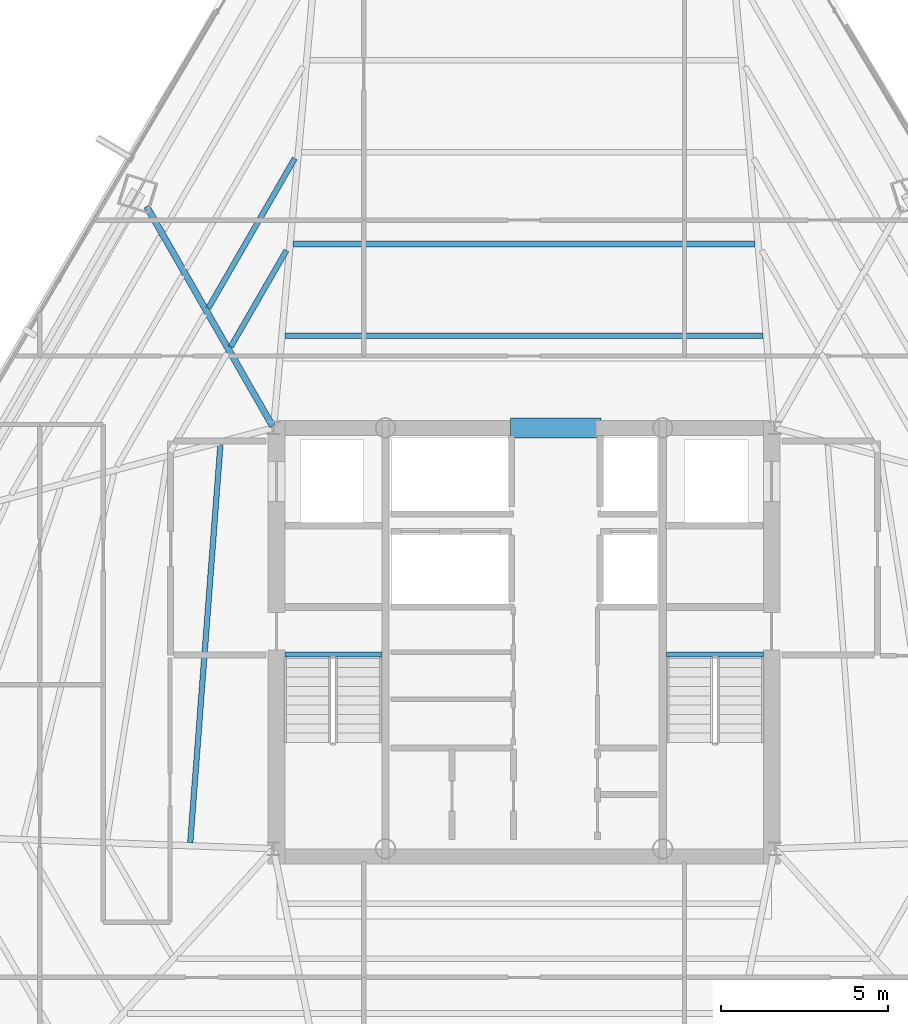
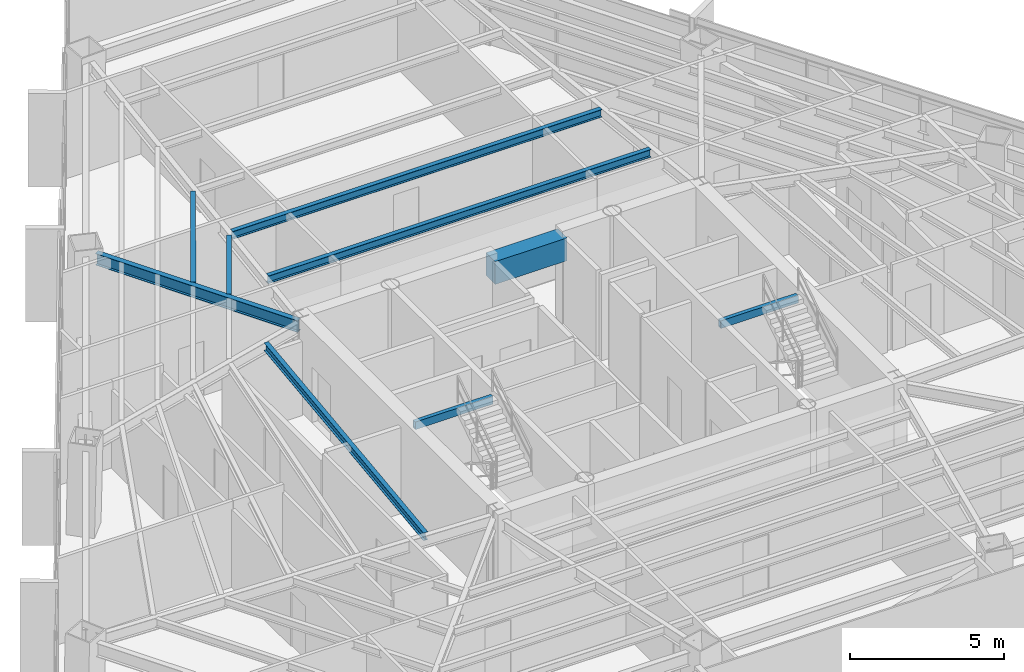
# One storey, part 16 of 41: 9 beams.
"""IFC4 building model written with IfcOpenShell, lengths in metres."""

from ifc_helpers import new_model, si_unit, direction, frame, origin, origin_2d, place, context, subcontext, project, spatial, rectangle, hollow_rectangle, i_section, extrude, source, transform, mapped, material, material_profile, profile_set, type_object, type_shapes, element, save


model = new_model("IFC4")

# Units and contexts
model_context = context("Model", 3, precision=1e-05, world=origin(), true_north=direction((0.0, 1.0)))
body_context = subcontext(model_context, "Body", "Model", "MODEL_VIEW")
ifc_project = project(units=[si_unit("LENGTHUNIT", "METRE"), si_unit("AREAUNIT", "SQUARE_METRE"), si_unit("VOLUMEUNIT", "CUBIC_METRE"), si_unit("PLANEANGLEUNIT", "RADIAN"), si_unit("MASSUNIT", "GRAM", prefix="KILO")], contexts=[model_context])

# Site, building, storey
site_placement = place(None, origin())
site = spatial("IfcSite", under=ifc_project, at=site_placement, CompositionType="ELEMENT")
building_placement = place(site_placement, origin())
building = spatial("IfcBuilding", under=site, at=building_placement, Name="Caelisora Broadcast Tower", CompositionType="ELEMENT")
storey_placement = place(building_placement, frame((0.0, 0.0, 162.14990234375)))
storey = spatial("IfcBuildingStorey", under=building, at=storey_placement, Name="L42", CompositionType="ELEMENT", Elevation=162.14990234375)

# Beams
ifc_material_1 = material(Name="Steel Grade 350 (AS/NZS 1163 C350L0)", Category="steel")
ifc_material_profile_1 = material_profile(ifc_material_1, hollow_rectangle(XDim=0.14990234375, YDim=0.300048828125, WallThickness=0.010009765625, at=origin_2d()), Name="Steel Grade 350 (AS/NZS 1163 C350L0)")
ifc_profile_set_1 = profile_set([ifc_material_profile_1], Name="Steel Grade 350 (AS/NZS 1163 C350L0)")
beam_type_1 = type_object("IfcBeamType", Name="SB05", PredefinedType="JOIST", material=ifc_profile_set_1)
shared_shape_1 = source(origin(), body_context, "Body", "SweptSolid", [
    extrude(hollow_rectangle(XDim=0.14990234375, YDim=0.300048828125, WallThickness=0.010009765625, at=origin_2d()), origin(), (0.0, 0.0, 1.0), 2.89990234375),
])
type_shapes(beam_type_1, [shared_shape_1])
for number, where, z_axis, x_axis, name in (
    (1, (30.840087890625, 23.219970703125, 3.25), (1.0, 0.0, 0.0), (0.0, 1.0, 0.0), "L42 beam SB05"),
    (2, (42.260009765625, 23.219970703125, 3.25), (1.0, 0.0, 0.0), (0.0, 1.0, 0.0), "L42 beam SB05"),
):
    element("IfcBeam", number, at=place(storey_placement, frame(where, z_axis=z_axis, x_axis=x_axis)), inside=storey, type_object=beam_type_1, Name=name, PredefinedType="JOIST", context=body_context, shape_type="MappedRepresentation", body=[
        mapped(shared_shape_1, transform((0.0, 0.0, 0.0), scale=1.0)),
    ])
ifc_material_2 = material(Name="Concrete 50 MPa (AS 3600 S50)", Category="concrete")
ifc_material_profile_2 = material_profile(ifc_material_2, rectangle(XDim=0.60009765625, YDim=0.89990234375, at=origin_2d()), Name="Concrete 50 MPa (AS 3600 S50)")
ifc_profile_set_2 = profile_set([ifc_material_profile_2], Name="Concrete 50 MPa (AS 3600 S50)")
beam_type_2 = type_object("IfcBeamType", Name="CB02", PredefinedType="LINTEL", material=ifc_profile_set_2)
shared_shape_2 = source(origin(), body_context, "Body", "SweptSolid", [
    extrude(rectangle(XDim=0.60009765625, YDim=0.89990234375, at=origin_2d()), origin(), (0.0, 0.0, 1.0), 2.699951171875),
])
type_shapes(beam_type_2, [shared_shape_2])
beam_1_placement = place(storey_placement, frame((37.60009765625, 30.0, 2.9501953125), z_axis=(1.0, 0.0, 0.0), x_axis=(0.0, 1.0, 0.0)))
element("IfcBeam", 3, at=beam_1_placement, inside=storey, type_object=beam_type_2, Name="L42 beam CB02", PredefinedType="LINTEL", context=body_context, shape_type="MappedRepresentation", body=[
    mapped(shared_shape_2, transform((0.0, 0.0, 0.0), scale=1.0)),
])
ifc_material_3 = material(Name="Steel Grade 350 (AS/NZS 3679.1)", Category="steel")
ifc_material_profile_3 = material_profile(ifc_material_3, i_section(OverallWidth=0.19091796875, OverallDepth=0.46044921875, WebThickness=0.010009765625, FlangeThickness=0.01611328125, at=origin_2d()), Name="Steel Grade 350 (AS/NZS 3679.1)")
ifc_profile_set_3 = profile_set([ifc_material_profile_3], Name="Steel Grade 350 (AS/NZS 3679.1)")
beam_type_3 = type_object("IfcBeamType", Name="PG06", PredefinedType="BEAM", material=ifc_profile_set_3)
shared_shape_3 = source(origin(), body_context, "Body", "SweptSolid", [
    extrude(i_section(OverallWidth=0.19091796875, OverallDepth=0.46044921875, WebThickness=0.010009765625, FlangeThickness=0.01611328125, at=origin_2d()), origin(), (0.0, 0.0, 1.0), 7.579833984375),
])
type_shapes(beam_type_3, [shared_shape_3])
beam_2_placement = place(storey_placement, frame((30.47021484375, 30.052001953125, 3.169921875), z_axis=(-0.497303954611, 0.867576380919, 0.0), x_axis=(-0.867576380919, -0.497303954611, 0.0)))
element("IfcBeam", 4, at=beam_2_placement, inside=storey, type_object=beam_type_3, Name="L42 beam PG06", PredefinedType="BEAM", context=body_context, shape_type="MappedRepresentation", body=[
    mapped(shared_shape_3, transform((0.0, 0.0, 0.0), scale=1.0)),
])
ifc_material_profile_4 = material_profile(ifc_material_3, i_section(OverallWidth=0.166015625, OverallDepth=0.30712890625, WebThickness=0.006591796875, FlangeThickness=0.01171875, at=origin_2d()), Name="Steel Grade 350 (AS/NZS 3679.1)")
ifc_profile_set_4 = profile_set([ifc_material_profile_4], Name="Steel Grade 350 (AS/NZS 3679.1)")
beam_type_4 = type_object("IfcBeamType", Name="SB03", PredefinedType="JOIST", material=ifc_profile_set_4)
shared_shape_4 = source(origin(), body_context, "Body", "SweptSolid", [
    extrude(i_section(OverallWidth=0.166015625, OverallDepth=0.30712890625, WebThickness=0.006591796875, FlangeThickness=0.01171875, at=origin_2d()), origin(), (0.0, 0.0, 1.0), 14.3173828125),
])
beam_3_placement = place(storey_placement, frame((45.15869140625, 32.75244140625, 3.24658203125), z_axis=(-1.0, 0.0, 0.0), x_axis=(0.0, -1.0, 0.0)))
element("IfcBeam", 5, at=beam_3_placement, inside=storey, type_object=beam_type_4, Name="L42 beam SB03", PredefinedType="JOIST", context=body_context, shape_type="MappedRepresentation", body=[
    mapped(shared_shape_4, transform((0.0, 0.0, 0.0), scale=1.0)),
])
shared_shape_5 = source(origin(), body_context, "Body", "SweptSolid", [
    extrude(i_section(OverallWidth=0.166015625, OverallDepth=0.30712890625, WebThickness=0.006591796875, FlangeThickness=0.01171875, at=origin_2d()), origin(), (0.0, 0.0, 1.0), 13.82080078125),
])
beam_4_placement = place(storey_placement, frame((44.910400390625, 35.505126953125, 3.24658203125), z_axis=(-1.0, 0.0, 0.0), x_axis=(0.0, -1.0, 0.0)))
element("IfcBeam", 6, at=beam_4_placement, inside=storey, type_object=beam_type_4, Name="L42 beam SB03", PredefinedType="JOIST", context=body_context, shape_type="MappedRepresentation", body=[
    mapped(shared_shape_5, transform((0.0, 0.0, 0.0), scale=1.0)),
])
shared_shape_6 = source(origin(), body_context, "Body", "SweptSolid", [
    extrude(i_section(OverallWidth=0.166015625, OverallDepth=0.30712890625, WebThickness=0.006591796875, FlangeThickness=0.01171875, at=origin_2d()), origin(), (0.0, 0.0, 1.0), 3.333251953125),
])
beam_5_placement = place(storey_placement, frame((30.884521484375, 35.310791015625, 3.24658203125), z_axis=(-0.500022544631, -0.866012387244, 0.0), x_axis=(0.866012387244, -0.500022544631, 0.0)))
element("IfcBeam", 7, at=beam_5_placement, inside=storey, type_object=beam_type_4, Name="L42 beam SB03", PredefinedType="JOIST", context=body_context, shape_type="MappedRepresentation", body=[
    mapped(shared_shape_6, transform((0.0, 0.0, 0.0), scale=1.0)),
])
shared_shape_7 = source(origin(), body_context, "Body", "SweptSolid", [
    extrude(i_section(OverallWidth=0.166015625, OverallDepth=0.30712890625, WebThickness=0.006591796875, FlangeThickness=0.01171875, at=origin_2d()), origin(), (0.0, 0.0, 1.0), 5.166259765625),
])
beam_6_placement = place(storey_placement, frame((31.1328125, 38.0634765625, 3.24658203125), z_axis=(-0.499981532947, -0.86603606548, 0.0), x_axis=(0.86603606548, -0.499981532947, 0.0)))
element("IfcBeam", 8, at=beam_6_placement, inside=storey, type_object=beam_type_4, Name="L42 beam SB03", PredefinedType="JOIST", context=body_context, shape_type="MappedRepresentation", body=[
    mapped(shared_shape_7, transform((0.0, 0.0, 0.0), scale=1.0)),
])
shared_shape_8 = source(origin(), body_context, "Body", "SweptSolid", [
    extrude(i_section(OverallWidth=0.166015625, OverallDepth=0.30712890625, WebThickness=0.006591796875, FlangeThickness=0.01171875, at=origin_2d()), origin(), (0.0, 0.0, 1.0), 11.93115234375),
])
type_shapes(beam_type_4, [shared_shape_4, shared_shape_5, shared_shape_6, shared_shape_7, shared_shape_8])
beam_7_placement = place(storey_placement, frame((28.908203125, 29.48046875, 3.24658203125), z_axis=(-0.075588586087, -0.997139090425, 0.0), x_axis=(0.997139090425, -0.075588586087, 0.0)))
element("IfcBeam", 9, at=beam_7_placement, inside=storey, type_object=beam_type_4, Name="L42 beam SB03", PredefinedType="JOIST", context=body_context, shape_type="MappedRepresentation", body=[
    mapped(shared_shape_8, transform((0.0, 0.0, 0.0), scale=1.0)),
])

save(model, "model.ifc")
